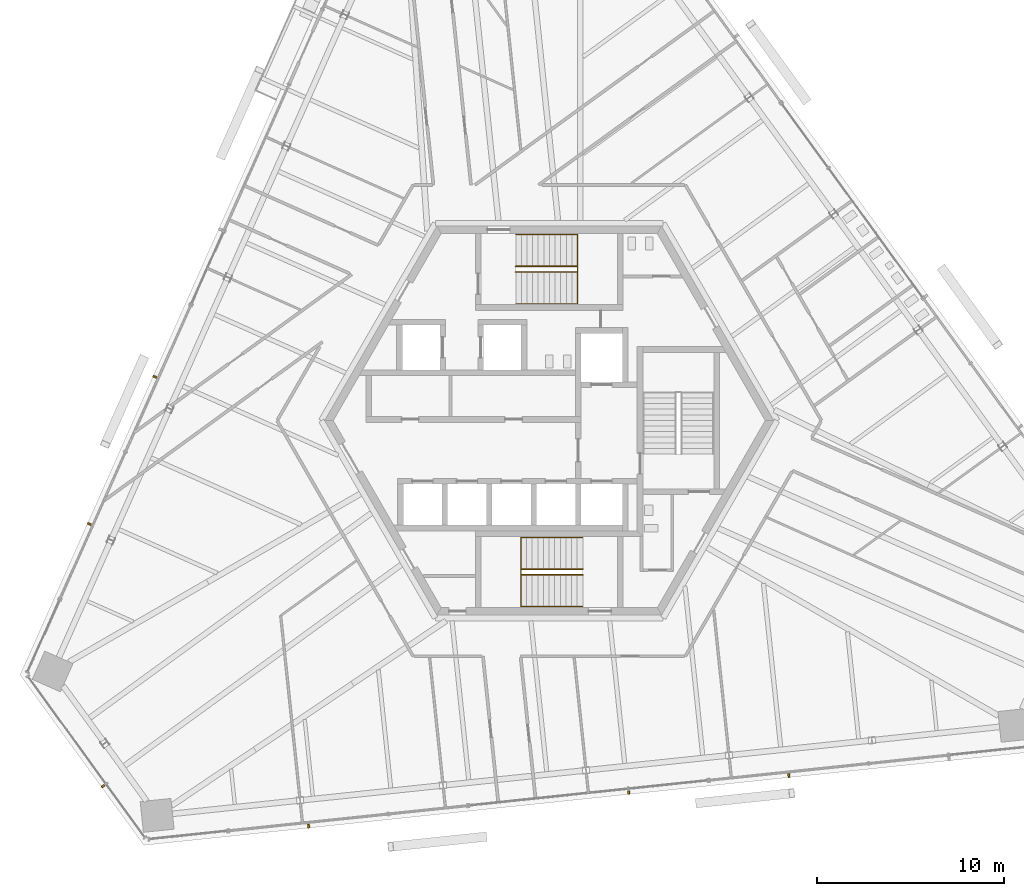
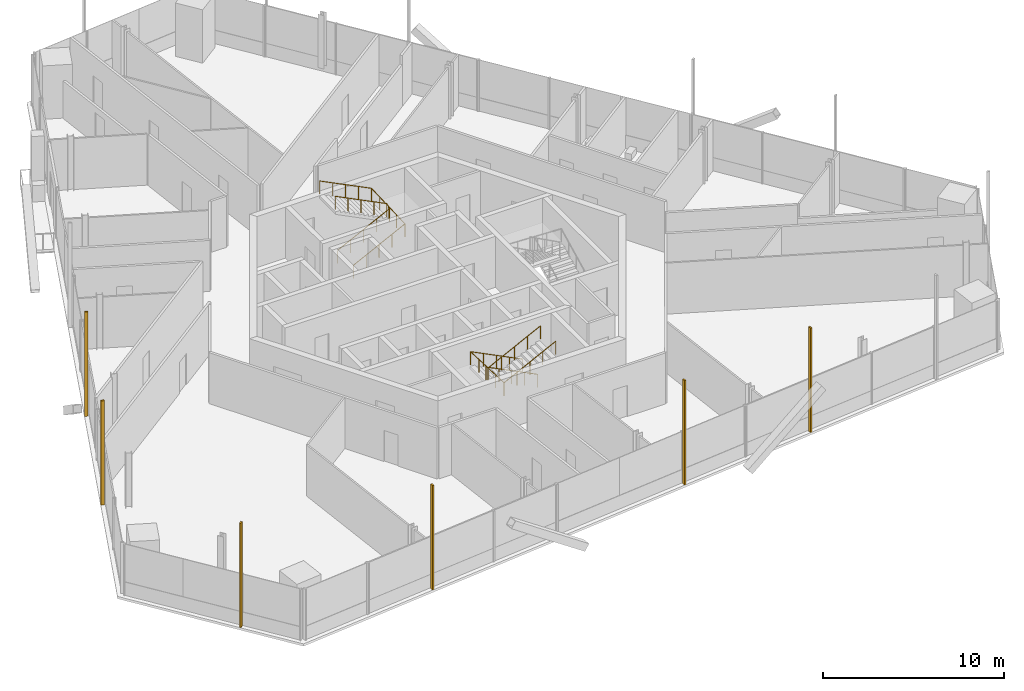
# One storey, part 16 of 21: 6 shading devices, 4 railings.
"""IFC4 building model written with IfcOpenShell, lengths in metres."""

from ifc_helpers import new_model, si_unit, direction, frame, origin, origin_2d, place, context, subcontext, project, spatial, rectangle, circle, extrude, source, transform, mapped, material, type_object, element, save


model = new_model("IFC4")

# Units and contexts
model_context = context("Model", 3, precision=1e-05, world=origin(), true_north=direction((0.0, 1.0)))
body_context = subcontext(model_context, "Body", "Model", "MODEL_VIEW")
ifc_project = project(units=[si_unit("LENGTHUNIT", "METRE"), si_unit("AREAUNIT", "SQUARE_METRE"), si_unit("VOLUMEUNIT", "CUBIC_METRE"), si_unit("PLANEANGLEUNIT", "RADIAN"), si_unit("MASSUNIT", "GRAM", prefix="KILO")], contexts=[model_context])

# Site, building, storey
site_placement = place(None, origin())
site = spatial("IfcSite", under=ifc_project, at=site_placement, CompositionType="ELEMENT")
building_placement = place(site_placement, origin())
building = spatial("IfcBuilding", under=site, at=building_placement, Name="Triune Harvest Tower", CompositionType="ELEMENT")
storey_placement = place(building_placement, frame((0.0, 0.0, 241.300048828125)))
storey = spatial("IfcBuildingStorey", under=building, at=storey_placement, Name="L63", CompositionType="ELEMENT", Elevation=241.300048828125)

# Railings
ifc_material_1 = material(Name="Stainless steel AISI 316", Category="steel")
railing_type = type_object("IfcRailingType", Name="Stair handrail", PredefinedType="HANDRAIL", material=ifc_material_1)
shared_shape_1 = source(origin(), body_context, "Body", "SweptSolid", [
    extrude(circle(Radius=0.02392578125, at=origin_2d()), frame((0.0, 0.0, 0.8759765625), z_axis=(0.894413956696, 0.0, 0.447240063129), x_axis=(0.0, 1.0, 0.0)), (0.0, 0.0, 1.0), 3.689697265625),
    extrude(circle(Radius=0.02392578125, at=origin_2d()), frame((3.300048828125, 0.0, 2.52587890625), z_axis=(0.0, 0.999180289278, 0.040481471304), x_axis=(-1.0, 0.0, 0.0)), (0.0, 0.0, 1.0), 3.702880859375),
    extrude(circle(Radius=0.02392578125, at=origin_2d()), frame((3.300048828125, 3.699951171875, 2.67578125), z_axis=(-0.894440424912, 0.0, 0.447187126696), x_axis=(0.0, -1.0, 0.0)), (0.0, 0.0, 1.0), 3.689453125),
    extrude(circle(Radius=0.02099609375, at=origin_2d()), origin(), (0.0, 0.0, 1.0), 0.851806640625),
    extrude(circle(Radius=0.02099609375, at=origin_2d()), frame((0.824951171875, 0.0, 0.41259765625)), (0.0, 0.0, 1.0), 0.851806640625),
    extrude(circle(Radius=0.02099609375, at=origin_2d()), frame((1.64990234375, 0.0, 0.8251953125)), (0.0, 0.0, 1.0), 0.851806640625),
    extrude(circle(Radius=0.02099609375, at=origin_2d()), frame((2.47509765625, 0.0, 1.237548828125)), (0.0, 0.0, 1.0), 0.851806640625),
    extrude(circle(Radius=0.02099609375, at=origin_2d()), frame((3.300048828125, 0.0, 1.650146484375)), (0.0, 0.0, 1.0), 0.851806640625),
    extrude(circle(Radius=0.02099609375, at=origin_2d()), frame((3.300048828125, 0.925048828125, 1.6875)), (0.0, 0.0, 1.0), 0.851806640625),
    extrude(circle(Radius=0.02099609375, at=origin_2d()), frame((3.300048828125, 1.85009765625, 1.72509765625)), (0.0, 0.0, 1.0), 0.851806640625),
    extrude(circle(Radius=0.02099609375, at=origin_2d()), frame((3.300048828125, 2.77490234375, 1.7626953125)), (0.0, 0.0, 1.0), 0.851806640625),
    extrude(circle(Radius=0.02099609375, at=origin_2d()), frame((3.300048828125, 3.699951171875, 1.800048828125)), (0.0, 0.0, 1.0), 0.851806640625),
    extrude(circle(Radius=0.02099609375, at=origin_2d()), frame((2.47509765625, 3.699951171875, 2.21240234375)), (0.0, 0.0, 1.0), 0.851806640625),
    extrude(circle(Radius=0.02099609375, at=origin_2d()), frame((1.64990234375, 3.699951171875, 2.625)), (0.0, 0.0, 1.0), 0.851806640625),
    extrude(circle(Radius=0.02099609375, at=origin_2d()), frame((0.824951171875, 3.699951171875, 3.03759765625)), (0.0, 0.0, 1.0), 0.851806640625),
    extrude(circle(Radius=0.02099609375, at=origin_2d()), frame((0.0, 3.699951171875, 3.449951171875)), (0.0, 0.0, 1.0), 0.851806640625),
])
railing_1_placement = place(storey_placement, frame((-1.7900390625, 6.239990234375, 0.14990234375)))
element("IfcRailing", 1, at=railing_1_placement, inside=storey, type_object=railing_type, Name="Exit stair north wall handrail", PredefinedType="HANDRAIL", context=body_context, shape_type="MappedRepresentation", body=[
    mapped(shared_shape_1, transform((0.0, 0.0, 0.0), scale=1.0)),
])
shared_shape_2 = source(origin(), body_context, "Body", "SweptSolid", [
    extrude(circle(Radius=0.02392578125, at=origin_2d()), frame((0.0, 0.0, 0.8759765625), z_axis=(0.894413956696, 0.0, 0.447240063129), x_axis=(0.0, 1.0, 0.0)), (0.0, 0.0, 1.0), 3.689697265625),
    extrude(circle(Radius=0.02392578125, at=origin_2d()), frame((3.300048828125, 0.0, 2.52587890625), z_axis=(0.0, 0.894572720946, 0.446922417137), x_axis=(-1.0, 0.0, 0.0)), (0.0, 0.0, 1.0), 0.33544921875),
    extrude(circle(Radius=0.02392578125, at=origin_2d()), frame((3.300048828125, 0.300048828125, 2.67578125), z_axis=(-0.894440424912, 0.0, 0.447187126696), x_axis=(0.0, -1.0, 0.0)), (0.0, 0.0, 1.0), 3.689453125),
    extrude(circle(Radius=0.02099609375, at=origin_2d()), origin(), (0.0, 0.0, 1.0), 0.851806640625),
    extrude(circle(Radius=0.02099609375, at=origin_2d()), frame((0.824951171875, 0.0, 0.41259765625)), (0.0, 0.0, 1.0), 0.851806640625),
    extrude(circle(Radius=0.02099609375, at=origin_2d()), frame((1.64990234375, 0.0, 0.8251953125)), (0.0, 0.0, 1.0), 0.851806640625),
    extrude(circle(Radius=0.02099609375, at=origin_2d()), frame((2.47509765625, 0.0, 1.237548828125)), (0.0, 0.0, 1.0), 0.851806640625),
    extrude(circle(Radius=0.02099609375, at=origin_2d()), frame((3.300048828125, 0.0, 1.650146484375)), (0.0, 0.0, 1.0), 0.851806640625),
    extrude(circle(Radius=0.02099609375, at=origin_2d()), frame((3.300048828125, 0.300048828125, 1.800048828125)), (0.0, 0.0, 1.0), 0.851806640625),
    extrude(circle(Radius=0.02099609375, at=origin_2d()), frame((2.47509765625, 0.300048828125, 2.21240234375)), (0.0, 0.0, 1.0), 0.851806640625),
    extrude(circle(Radius=0.02099609375, at=origin_2d()), frame((1.64990234375, 0.300048828125, 2.625)), (0.0, 0.0, 1.0), 0.851806640625),
    extrude(circle(Radius=0.02099609375, at=origin_2d()), frame((0.824951171875, 0.300048828125, 3.03759765625)), (0.0, 0.0, 1.0), 0.851806640625),
    extrude(circle(Radius=0.02099609375, at=origin_2d()), frame((0.0, 0.300048828125, 3.449951171875)), (0.0, 0.0, 1.0), 0.851806640625),
])
railing_2_placement = place(storey_placement, frame((-1.7900390625, 7.93994140625, 0.14990234375)))
element("IfcRailing", 2, at=railing_2_placement, inside=storey, type_object=railing_type, Name="Exit stair north centre handrail", PredefinedType="HANDRAIL", context=body_context, shape_type="MappedRepresentation", body=[
    mapped(shared_shape_2, transform((0.0, 0.0, 0.0), scale=1.0)),
])
shared_shape_3 = source(origin(), body_context, "Body", "SweptSolid", [
    extrude(circle(Radius=0.02392578125, at=origin_2d()), frame((0.0, 0.0, 0.8759765625), z_axis=(-0.894413956696, 0.0, 0.447240063129), x_axis=(0.0, -1.0, 0.0)), (0.0, 0.0, 1.0), 3.689697265625),
    extrude(circle(Radius=0.02392578125, at=origin_2d()), frame((-3.300048828125, 0.0, 2.52587890625), z_axis=(0.0, -0.999180289278, 0.040481471304), x_axis=(1.0, 0.0, 0.0)), (0.0, 0.0, 1.0), 3.702880859375),
    extrude(circle(Radius=0.02392578125, at=origin_2d()), frame((-3.300048828125, -3.699951171875, 2.67578125), z_axis=(0.894440424912, 0.0, 0.447187126696), x_axis=(0.0, 1.0, 0.0)), (0.0, 0.0, 1.0), 3.689453125),
    extrude(circle(Radius=0.02099609375, at=origin_2d()), origin(), (0.0, 0.0, 1.0), 0.851806640625),
    extrude(circle(Radius=0.02099609375, at=origin_2d()), frame((-0.824951171875, 0.0, 0.41259765625)), (0.0, 0.0, 1.0), 0.851806640625),
    extrude(circle(Radius=0.02099609375, at=origin_2d()), frame((-1.64990234375, 0.0, 0.8251953125)), (0.0, 0.0, 1.0), 0.851806640625),
    extrude(circle(Radius=0.02099609375, at=origin_2d()), frame((-2.47509765625, 0.0, 1.237548828125)), (0.0, 0.0, 1.0), 0.851806640625),
    extrude(circle(Radius=0.02099609375, at=origin_2d()), frame((-3.300048828125, 0.0, 1.650146484375)), (0.0, 0.0, 1.0), 0.851806640625),
    extrude(circle(Radius=0.02099609375, at=origin_2d()), frame((-3.300048828125, -0.925048828125, 1.6875)), (0.0, 0.0, 1.0), 0.851806640625),
    extrude(circle(Radius=0.02099609375, at=origin_2d()), frame((-3.300048828125, -1.85009765625, 1.72509765625)), (0.0, 0.0, 1.0), 0.851806640625),
    extrude(circle(Radius=0.02099609375, at=origin_2d()), frame((-3.300048828125, -2.77490234375, 1.7626953125)), (0.0, 0.0, 1.0), 0.851806640625),
    extrude(circle(Radius=0.02099609375, at=origin_2d()), frame((-3.300048828125, -3.699951171875, 1.800048828125)), (0.0, 0.0, 1.0), 0.851806640625),
    extrude(circle(Radius=0.02099609375, at=origin_2d()), frame((-2.47509765625, -3.699951171875, 2.21240234375)), (0.0, 0.0, 1.0), 0.851806640625),
    extrude(circle(Radius=0.02099609375, at=origin_2d()), frame((-1.64990234375, -3.699951171875, 2.625)), (0.0, 0.0, 1.0), 0.851806640625),
    extrude(circle(Radius=0.02099609375, at=origin_2d()), frame((-0.824951171875, -3.699951171875, 3.03759765625)), (0.0, 0.0, 1.0), 0.851806640625),
    extrude(circle(Radius=0.02099609375, at=origin_2d()), frame((0.0, -3.699951171875, 3.449951171875)), (0.0, 0.0, 1.0), 0.851806640625),
])
railing_3_placement = place(storey_placement, frame((1.7900390625, -6.239990234375, 0.14990234375)))
element("IfcRailing", 3, at=railing_3_placement, inside=storey, type_object=railing_type, Name="Exit stair south wall handrail", PredefinedType="HANDRAIL", context=body_context, shape_type="MappedRepresentation", body=[
    mapped(shared_shape_3, transform((0.0, 0.0, 0.0), scale=1.0)),
])
shared_shape_4 = source(origin(), body_context, "Body", "SweptSolid", [
    extrude(circle(Radius=0.02392578125, at=origin_2d()), frame((0.0, 0.0, 0.8759765625), z_axis=(-0.894413956696, 0.0, 0.447240063129), x_axis=(0.0, -1.0, 0.0)), (0.0, 0.0, 1.0), 3.689697265625),
    extrude(circle(Radius=0.02392578125, at=origin_2d()), frame((-3.300048828125, 0.0, 2.52587890625), z_axis=(0.0, -0.894572720946, 0.446922417137), x_axis=(1.0, 0.0, 0.0)), (0.0, 0.0, 1.0), 0.33544921875),
    extrude(circle(Radius=0.02392578125, at=origin_2d()), frame((-3.300048828125, -0.300048828125, 2.67578125), z_axis=(0.894440424912, 0.0, 0.447187126696), x_axis=(0.0, 1.0, 0.0)), (0.0, 0.0, 1.0), 3.689453125),
    extrude(circle(Radius=0.02099609375, at=origin_2d()), origin(), (0.0, 0.0, 1.0), 0.851806640625),
    extrude(circle(Radius=0.02099609375, at=origin_2d()), frame((-0.824951171875, 0.0, 0.41259765625)), (0.0, 0.0, 1.0), 0.851806640625),
    extrude(circle(Radius=0.02099609375, at=origin_2d()), frame((-1.64990234375, 0.0, 0.8251953125)), (0.0, 0.0, 1.0), 0.851806640625),
    extrude(circle(Radius=0.02099609375, at=origin_2d()), frame((-2.47509765625, 0.0, 1.237548828125)), (0.0, 0.0, 1.0), 0.851806640625),
    extrude(circle(Radius=0.02099609375, at=origin_2d()), frame((-3.300048828125, 0.0, 1.650146484375)), (0.0, 0.0, 1.0), 0.851806640625),
    extrude(circle(Radius=0.02099609375, at=origin_2d()), frame((-3.300048828125, -0.300048828125, 1.800048828125)), (0.0, 0.0, 1.0), 0.851806640625),
    extrude(circle(Radius=0.02099609375, at=origin_2d()), frame((-2.47509765625, -0.300048828125, 2.21240234375)), (0.0, 0.0, 1.0), 0.851806640625),
    extrude(circle(Radius=0.02099609375, at=origin_2d()), frame((-1.64990234375, -0.300048828125, 2.625)), (0.0, 0.0, 1.0), 0.851806640625),
    extrude(circle(Radius=0.02099609375, at=origin_2d()), frame((-0.824951171875, -0.300048828125, 3.03759765625)), (0.0, 0.0, 1.0), 0.851806640625),
    extrude(circle(Radius=0.02099609375, at=origin_2d()), frame((0.0, -0.300048828125, 3.449951171875)), (0.0, 0.0, 1.0), 0.851806640625),
])
railing_4_placement = place(storey_placement, frame((1.7900390625, -7.93994140625, 0.14990234375)))
element("IfcRailing", 4, at=railing_4_placement, inside=storey, type_object=railing_type, Name="Exit stair south centre handrail", PredefinedType="HANDRAIL", context=body_context, shape_type="MappedRepresentation", body=[
    mapped(shared_shape_4, transform((0.0, 0.0, 0.0), scale=1.0)),
])

# Shading devices
ifc_material_2 = material(Name="Aluminium bronze anodised", Category="aluminium")
shared_shape_5 = source(origin(), body_context, "Body", "SweptSolid", [
    extrude(rectangle(XDim=0.10009765625, YDim=0.199951171875, at=origin_2d()), origin(), (0.0, 0.0, 1.0), 7.0400390625),
])
for number, where, z_axis, x_axis, name in (
    (5, (-21.072021484375, 2.34375, 0.0), (0.0, 0.0, 1.0), (-0.406737912248, -0.91354489257, 0.0), "FN-1 fin B6-F3.8 L63"),
    (6, (-24.573974609375, -5.52197265625, 0.0), (0.0, 0.0, 1.0), (-0.406737912248, -0.91354489257, 0.0), "FN-1 fin B6-F3.10 L63"),
    (7, (-23.83544921875, -19.52734375, 0.0), (0.0, 0.0, 1.0), (0.587788936013, -0.809014317982, 0.0), "FN-1 fin B6-F4.3 L63"),
    (8, (-12.855712890625, -21.666015625, 0.0), (0.0, 0.0, 1.0), (0.994521747579, 0.104529869379, 0.0), "FN-1 fin B6-F5.3 L63"),
    (9, (4.25, -19.867919921875, 0.0), (0.0, 0.0, 1.0), (0.994521747579, 0.104529869379, 0.0), "FN-1 fin B6-F5.7 L63"),
    (10, (12.802978515625, -18.968994140625, 0.0), (0.0, 0.0, 1.0), (0.994521747579, 0.104529869379, 0.0), "FN-1 fin B6-F5.9 L63"),
):
    element("IfcShadingDevice", number, at=place(storey_placement, frame(where, z_axis=z_axis, x_axis=x_axis)), inside=storey, material=ifc_material_2, Name=name, ObjectType="FIN", PredefinedType="USERDEFINED", context=body_context, shape_type="MappedRepresentation", body=[
        mapped(shared_shape_5, transform((0.0, 0.0, 0.0), scale=1.0)),
    ])

save(model, "model.ifc")
